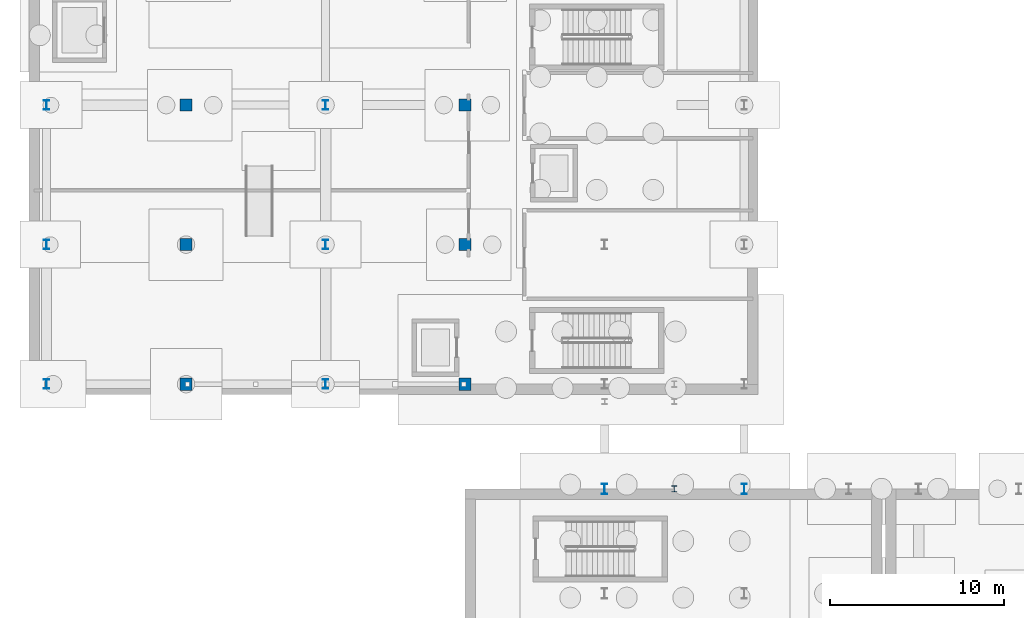
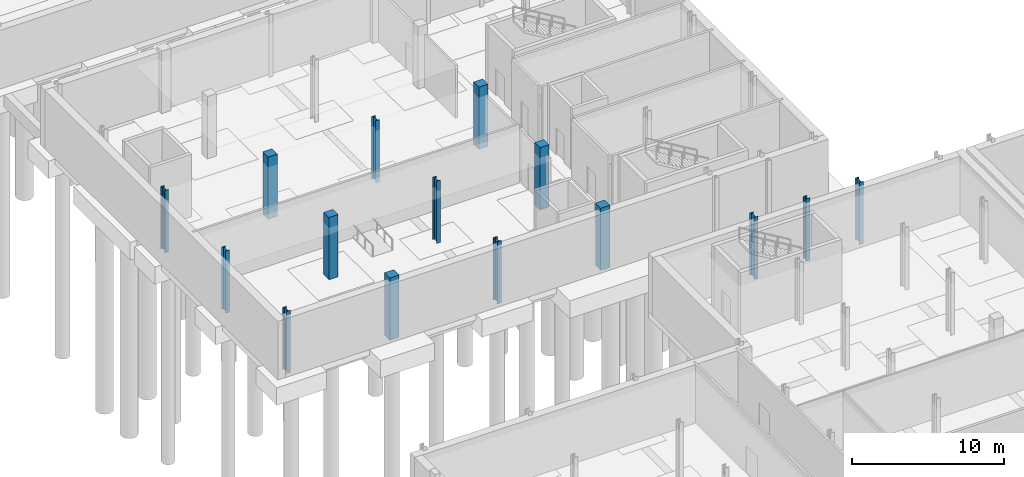
# One storey, part 8 of 47: 15 columns.
"""IFC4 building model written with IfcOpenShell, lengths in metres."""

from ifc_helpers import new_model, si_unit, direction, frame, origin, origin_2d, place, context, subcontext, project, spatial, rectangle, i_section, extrude, material, material_profile, profile_set, type_object, element, save


model = new_model("IFC4")

# Units and contexts
model_context = context("Model", 3, precision=1e-05, world=origin(), true_north=direction((0.0, 1.0)))
body_context = subcontext(model_context, "Body", "Model", "MODEL_VIEW")
ifc_project = project(units=[si_unit("LENGTHUNIT", "METRE"), si_unit("AREAUNIT", "SQUARE_METRE"), si_unit("VOLUMEUNIT", "CUBIC_METRE"), si_unit("PLANEANGLEUNIT", "RADIAN"), si_unit("MASSUNIT", "GRAM", prefix="KILO")], contexts=[model_context])

# Site, building, storey
site_placement = place(None, origin())
site = spatial("IfcSite", under=ifc_project, at=site_placement, CompositionType="ELEMENT")
building_placement = place(site_placement, origin())
building = spatial("IfcBuilding", under=site, at=building_placement, Name="Cymarion Research Institute", CompositionType="ELEMENT")
storey_placement = place(building_placement, frame((0.0, 0.0, -5.0)))
storey = spatial("IfcBuildingStorey", under=building, at=storey_placement, Name="B1", CompositionType="ELEMENT", Elevation=-5.0)

# Columns
ifc_material_1 = material(Name="Steel S355", Category="steel")
ifc_material_profile_1 = material_profile(ifc_material_1, i_section(OverallWidth=0.300048828125, OverallDepth=0.60009765625, WebThickness=0.015380859375, FlangeThickness=0.030029296875, FilletRadius=0.027099609375, at=origin_2d()), Name="HEB 600")
ifc_profile_set_1 = profile_set([ifc_material_profile_1], Name="Steel S355")
column_type_1 = type_object("IfcColumnType", Name="STRUCTURAL COLUMN C02 HEB 600", PredefinedType="COLUMN", material=ifc_profile_set_1)
for number, where, z_axis, x_axis, name in (
    (1, (38.60009765625, 41.5, 0.0), (0.0, 0.0, 1.0), (1.0, 0.0, 0.0), "B1 V3 column C02 #77"),
    (2, (46.60009765625, 41.5, 0.0), (0.0, 0.0, 1.0), (1.0, 0.0, 0.0), "B1 V3 column C02 #99"),
):
    element("IfcColumn", number, at=place(storey_placement, frame(where, z_axis=z_axis, x_axis=x_axis)), inside=storey, type_object=column_type_1, Name=name, PredefinedType="COLUMN", context=body_context, shape_type="SweptSolid", body=[
        extrude(i_section(OverallWidth=0.300048828125, OverallDepth=0.60009765625, WebThickness=0.015380859375, FlangeThickness=0.030029296875, FilletRadius=0.027099609375, at=origin_2d()), origin(), (0.0, 0.0, 1.0), 5.0),
    ])
ifc_material_profile_2 = material_profile(ifc_material_1, i_section(OverallWidth=0.300048828125, OverallDepth=0.550048828125, WebThickness=0.014892578125, FlangeThickness=0.029052734375, FilletRadius=0.027099609375, at=origin_2d()), Name="HEB 550")
ifc_profile_set_2 = profile_set([ifc_material_profile_2], Name="Steel S355")
column_type_2 = type_object("IfcColumnType", Name="STRUCTURAL COLUMN C03 HEB 550", PredefinedType="COLUMN", material=ifc_profile_set_2)
for number, where, z_axis, x_axis, name in (
    (3, (6.60009765625, 47.5, 0.0), (0.0, 0.0, 1.0), (1.0, 0.0, 0.0), "B1 V4 column C03 #10"),
    (4, (6.60009765625, 55.5, 0.0), (0.0, 0.0, 1.0), (1.0, 0.0, 0.0), "B1 V4 column C03 #11"),
    (5, (6.60009765625, 63.5, 0.0), (0.0, 0.0, 1.0), (1.0, 0.0, 0.0), "B1 V4 column C03 #12"),
    (6, (22.60009765625, 47.5, 0.0), (0.0, 0.0, 1.0), (1.0, 0.0, 0.0), "B1 V4 column C03 #41"),
    (7, (22.60009765625, 55.5, 0.0), (0.0, 0.0, 1.0), (1.0, 0.0, 0.0), "B1 V4 column C03 #42"),
    (8, (22.60009765625, 63.5, 0.0), (0.0, 0.0, 1.0), (1.0, 0.0, 0.0), "B1 V4 column C03 #43"),
):
    element("IfcColumn", number, at=place(storey_placement, frame(where, z_axis=z_axis, x_axis=x_axis)), inside=storey, type_object=column_type_2, Name=name, PredefinedType="COLUMN", context=body_context, shape_type="SweptSolid", body=[
        extrude(i_section(OverallWidth=0.300048828125, OverallDepth=0.550048828125, WebThickness=0.014892578125, FlangeThickness=0.029052734375, FilletRadius=0.027099609375, at=origin_2d()), origin(), (0.0, 0.0, 1.0), 5.0),
    ])
ifc_material_profile_3 = material_profile(ifc_material_1, i_section(OverallWidth=0.300048828125, OverallDepth=0.360107421875, WebThickness=0.012451171875, FlangeThickness=0.0224609375, FilletRadius=0.027099609375, at=origin_2d()), Name="HEB 360")
ifc_profile_set_3 = profile_set([ifc_material_profile_3], Name="Steel S355")
column_type_3 = type_object("IfcColumnType", Name="STRUCTURAL COLUMN C07 HEB 360", PredefinedType="COLUMN", material=ifc_profile_set_3)
column_placement = place(storey_placement, frame((42.60009765625, 41.5, 0.0), z_axis=(0.0, 0.0, 1.0), x_axis=(1.0, 0.0, 0.0)))
element("IfcColumn", 9, at=column_placement, inside=storey, type_object=column_type_3, Name="B1 V3 column C07 #90", PredefinedType="COLUMN", context=body_context, shape_type="SweptSolid", body=[
    extrude(i_section(OverallWidth=0.300048828125, OverallDepth=0.360107421875, WebThickness=0.012451171875, FlangeThickness=0.0224609375, FilletRadius=0.027099609375, at=origin_2d()), origin(), (0.0, 0.0, 1.0), 5.0),
])
ifc_material_2 = material(Name="Concrete C40/50", Category="concrete")
ifc_material_profile_4 = material_profile(ifc_material_2, rectangle(XDim=0.699951171875, YDim=0.699951171875, at=origin_2d()), Name="RC 700x700")
ifc_profile_set_4 = profile_set([ifc_material_profile_4], Name="Concrete C40/50")
column_type_4 = type_object("IfcColumnType", Name="STRUCTURAL COLUMN C17 RC 700x700", PredefinedType="COLUMN", material=ifc_profile_set_4)
for number, where, z_axis, x_axis, name in (
    (10, (14.60009765625, 47.5, 0.0), (0.0, 0.0, 1.0), (1.0, 0.0, 0.0), "B1 V4 column C17 #26"),
    (11, (14.60009765625, 55.5, 0.0), (0.0, 0.0, 1.0), (1.0, 0.0, 0.0), "B1 V4 column C17 #27"),
    (12, (14.60009765625, 63.5, 0.0), (0.0, 0.0, 1.0), (1.0, 0.0, 0.0), "B1 V4 column C17 #28"),
    (13, (30.60009765625, 47.5, 0.0), (0.0, 0.0, 1.0), (1.0, 0.0, 0.0), "B1 V4 column C17 #57"),
    (14, (30.60009765625, 55.5, 0.0), (0.0, 0.0, 1.0), (1.0, 0.0, 0.0), "B1 V4 column C17 #58"),
    (15, (30.60009765625, 63.5, 0.0), (0.0, 0.0, 1.0), (1.0, 0.0, 0.0), "B1 V4 column C17 #59"),
):
    element("IfcColumn", number, at=place(storey_placement, frame(where, z_axis=z_axis, x_axis=x_axis)), inside=storey, type_object=column_type_4, Name=name, PredefinedType="COLUMN", context=body_context, shape_type="SweptSolid", body=[
        extrude(rectangle(XDim=0.699951171875, YDim=0.699951171875, at=origin_2d()), origin(), (0.0, 0.0, 1.0), 5.0),
    ])

save(model, "model.ifc")
